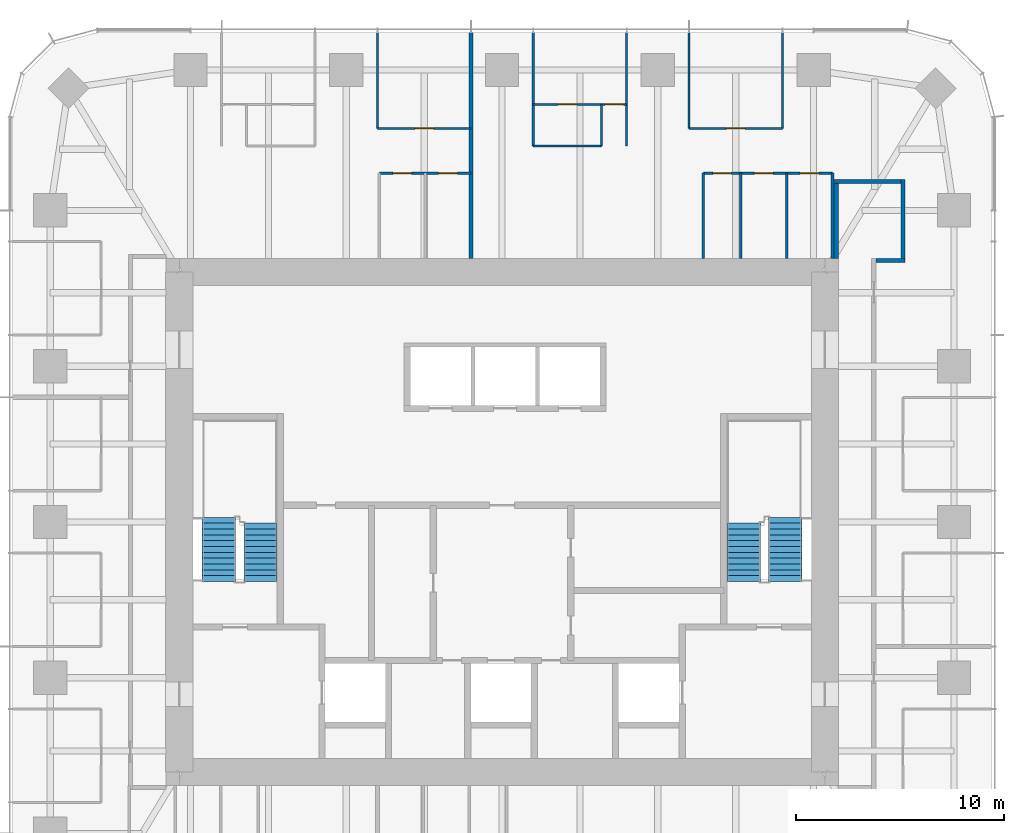
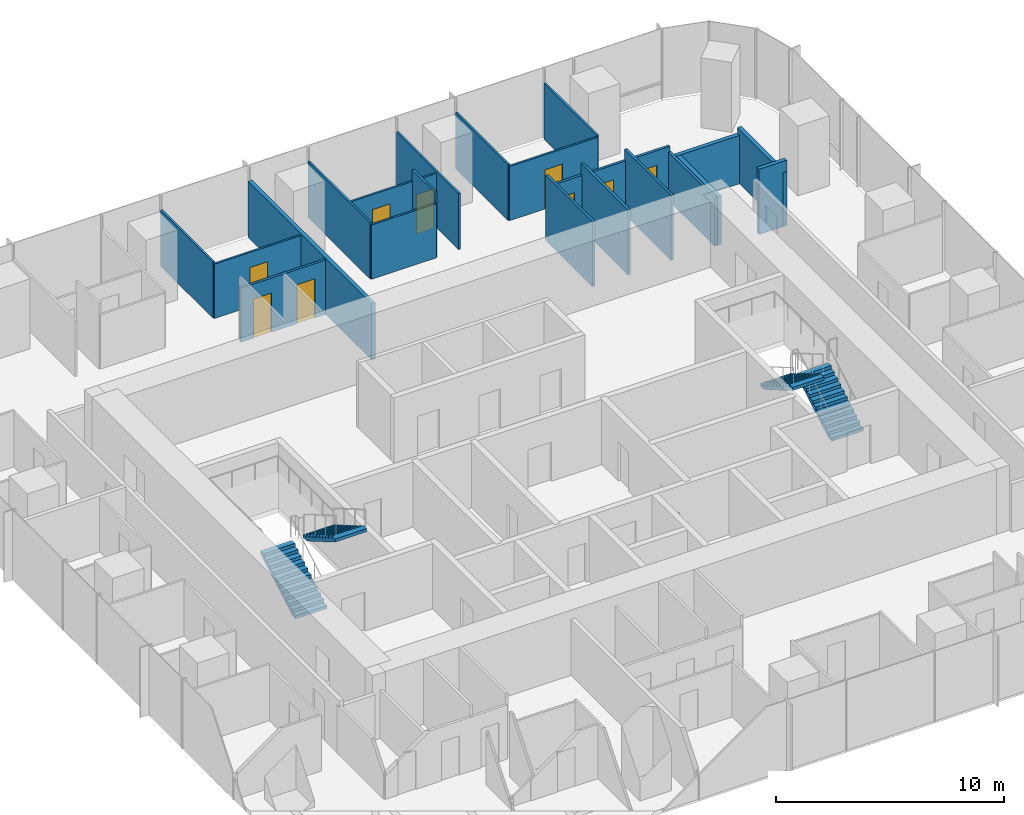
# One storey, part 11 of 12: 21 walls, 9 doors, 4 stair flights, 9 openings, 2 elements without a shape of their own.
"""IFC4 building model written with IfcOpenShell, lengths in metres."""

import ifcopenshell
import ifcopenshell.guid

model = None  # the IFC model being written
_history = None  # IfcOwnerHistory: only IFC2X3 demands one
_inside = {}  # id of a spatial element -> (the spatial element, [elements in it])
_under = {}  # id of a project, library or spatial element -> (it, [spatial elements below it])
_declared = {}  # id of a project -> (the project, [libraries it declares])
_typed = {}  # id of a type object -> (the type object, [elements of that type])
_made_of = {}  # id of a material, layer set ... -> (it, [elements and type objects made of it])


def new_model(schema):
    """Start an empty IFC model of exactly this schema.

    Asked for "IFC4X3", IfcOpenShell would pick the latest addendum, in which some entities
    have other attributes; the version numbers below select the first issue.
    IFC2X3 requires an IfcOwnerHistory on every rooted entity: one is made here for all.
    """
    global model, _history
    if schema == "IFC4X3":
        model = ifcopenshell.file(schema_version=(4, 3, 0, 0))
    else:
        model = ifcopenshell.file(schema=schema)
    _inside.clear()
    _under.clear()
    _declared.clear()
    _typed.clear()
    _made_of.clear()
    _history = None
    if model.schema == "IFC2X3":
        org = make("IfcOrganization", Name="unknown")
        user = make(
            "IfcPersonAndOrganization",
            ThePerson=make("IfcPerson", FamilyName="unknown"),
            TheOrganization=org,
        )
        app = make(
            "IfcApplication",
            ApplicationDeveloper=org,
            Version="unknown",
            ApplicationFullName="unknown",
            ApplicationIdentifier="unknown",
        )
        _history = make(
            "IfcOwnerHistory",
            OwningUser=user,
            OwningApplication=app,
            ChangeAction="ADDED",
            CreationDate=0,
        )
    return model


def make(cls, **values):
    """One entity of the class cls with the attributes given. An attribute that is None is left unset."""
    return model.create_entity(
        cls, **{name: value for name, value in values.items() if value is not None}
    )


def rooted(cls, **values):
    """An entity with a GlobalId (a new one), such as an element, a storey or a relation."""
    return make(cls, GlobalId=ifcopenshell.guid.new(), OwnerHistory=_history, **values)


def si_unit(unit_type, name, prefix=None):
    """IfcSIUnit, for example si_unit("LENGTHUNIT", "METRE", prefix="MILLI")."""
    return make("IfcSIUnit", UnitType=unit_type, Prefix=prefix, Name=name)


def assignment(units):
    """IfcUnitAssignment: the units of a project."""
    return None if units is None else make("IfcUnitAssignment", Units=units)


def point(xyz):
    """IfcCartesianPoint."""
    return None if xyz is None else make("IfcCartesianPoint", Coordinates=xyz)


def direction(xyz):
    """IfcDirection."""
    return None if xyz is None else make("IfcDirection", DirectionRatios=xyz)


def frame(location, z_axis=None, x_axis=None):
    """IfcAxis2Placement3D, a coordinate frame: its origin and axes. An axis left out is left unset."""
    return make(
        "IfcAxis2Placement3D",
        Location=point(location),
        Axis=direction(z_axis),
        RefDirection=direction(x_axis),
    )


def frame_2d(location, x_axis=None):
    """IfcAxis2Placement2D, a coordinate frame in the plane: its origin and x axis."""
    return make(
        "IfcAxis2Placement2D", Location=point(location), RefDirection=direction(x_axis)
    )


def origin():
    """The frame at (0, 0, 0) with its axes left unset."""
    return frame((0.0, 0.0, 0.0))


def place(relative_to, where):
    """IfcLocalPlacement: puts the frame where relative to a parent placement (None: the world)."""
    return make(
        "IfcLocalPlacement", PlacementRelTo=relative_to, RelativePlacement=where
    )


def context(
    kind, dimensions, precision=None, world=None, true_north=None, identifier=None
):
    """IfcGeometricRepresentationContext, for example the 3D "Model" context."""
    return make(
        "IfcGeometricRepresentationContext",
        ContextIdentifier=identifier,
        ContextType=kind,
        CoordinateSpaceDimension=dimensions,
        Precision=precision,
        WorldCoordinateSystem=world,
        TrueNorth=true_north,
    )


def subcontext(parent, identifier, kind, view, scale=None):
    """IfcGeometricRepresentationSubContext, for example "Body" below "Model"."""
    return make(
        "IfcGeometricRepresentationSubContext",
        ContextIdentifier=identifier,
        ContextType=kind,
        ParentContext=parent,
        TargetScale=scale,
        TargetView=view,
    )


def project(units=None, contexts=None):
    """IfcProject with its units and contexts."""
    return rooted(
        "IfcProject",
        Name="project",
        RepresentationContexts=contexts,
        UnitsInContext=assignment(units),
    )


def spatial(cls, under=None, at=None, **own):
    """A site, building, storey or space (cls), placed at a placement, below another one or the project."""
    s = rooted(cls, ObjectPlacement=at, **own)
    if under is not None:
        _under.setdefault(under.id(), (under, []))[1].append(s)
    return s


def polyline(points):
    """IfcPolyline through the points."""
    return make("IfcPolyline", Points=[point(p) for p in points])


def profile(cls, at=None, kind="AREA", **sizes):
    """A parametric profile (cls). Its sizes go by their IFC names, for example OverallWidth=200.0."""
    return make(cls, ProfileType=kind, Position=at, **sizes)


def rectangle(**sizes):
    """IfcRectangleProfileDef."""
    return profile("IfcRectangleProfileDef", **sizes)


def outline(outer, holes=None, kind="AREA"):
    """IfcArbitraryClosedProfileDef: a profile drawn as a closed curve; with holes, ...WithVoids."""
    if holes is None:
        return make("IfcArbitraryClosedProfileDef", ProfileType=kind, OuterCurve=outer)
    return make(
        "IfcArbitraryProfileDefWithVoids",
        ProfileType=kind,
        OuterCurve=outer,
        InnerCurves=holes,
    )


def extrude(swept, where, along, depth):
    """IfcExtrudedAreaSolid: the profile swept, set in the frame where, extruded along a direction by depth."""
    return make(
        "IfcExtrudedAreaSolid",
        SweptArea=swept,
        Position=where,
        ExtrudedDirection=direction(along),
        Depth=depth,
    )


def shape(context_of_items, identifier, shape_type, items):
    """IfcShapeRepresentation: the items that make up one representation, for example the "Body"."""
    return make(
        "IfcShapeRepresentation",
        ContextOfItems=context_of_items,
        RepresentationIdentifier=identifier,
        RepresentationType=shape_type,
        Items=items,
    )


def material(Name=None, Category=None):
    """IfcMaterial."""
    return make("IfcMaterial", Name=Name, Category=Category)


def layer(
    of_material, thickness, ventilated=None, Name=None, Category=None, Priority=None
):
    """IfcMaterialLayer: one layer of a wall or slab, of a material (None: an air gap)."""
    return make(
        "IfcMaterialLayer",
        Material=of_material,
        LayerThickness=thickness,
        IsVentilated=ventilated,
        Name=Name,
        Category=Category,
        Priority=Priority,
    )


def layer_set(layers, Name=None):
    """IfcMaterialLayerSet."""
    return make("IfcMaterialLayerSet", MaterialLayers=layers, LayerSetName=Name)


def made_of(thing, what):
    """Note that an element or type object is made of a material, layer set ...; save() writes the relation."""
    if what is not None:
        _made_of.setdefault(what.id(), (what, []))[1].append(thing)
    return thing


def type_object(cls, material=None, **own):
    """A type object (cls), such as IfcWallType, which elements share."""
    return made_of(rooted(cls, **own), material)


def element(
    cls,
    number,
    at=None,
    inside=None,
    cuts=None,
    type_object=None,
    material=None,
    context=None,
    identifier="Body",
    shape_type=None,
    held_by="IfcProductDefinitionShape",
    body=None,
    shapes=None,
    **own,
):
    """One element of the class cls, such as IfcWall. Its Tag is "e" and its number.

    at: its placement. inside: the storey or other place that contains it. cuts: it is an
    opening in that element (IfcRelVoidsElement). A single representation is given by context,
    identifier, shape_type and body (its items); several are given by shapes. held_by: the class
    of the entity that holds the representations. save() writes the other relations.
    """
    e = rooted(cls, Tag="e%d" % number, ObjectPlacement=at, **own)
    if body is not None:
        shapes = [shape(context, identifier, shape_type, body)]
    if shapes is not None:
        e.Representation = make(held_by, Representations=shapes)
    if inside is not None:
        _inside.setdefault(inside.id(), (inside, []))[1].append(e)
    if cuts is not None:
        rooted(
            "IfcRelVoidsElement", RelatingBuildingElement=cuts, RelatedOpeningElement=e
        )
    if type_object is not None:
        _typed.setdefault(type_object.id(), (type_object, []))[1].append(e)
    return made_of(e, material)


def fill(opening, filler):
    """IfcRelFillsElement: the door or window that sits in an opening."""
    return rooted(
        "IfcRelFillsElement",
        RelatingOpeningElement=opening,
        RelatedBuildingElement=filler,
    )


def aggregate(whole, parts):
    """IfcRelAggregates: a whole, such as a stair, and the parts it consists of."""
    return rooted("IfcRelAggregates", RelatingObject=whole, RelatedObjects=parts)


def save(model, path):
    """Write the relations noted so far, then the file.

    IfcRelAggregates (storeys below a building ...), IfcRelContainedInSpatialStructure (elements
    in a storey), IfcRelDefinesByType, IfcRelAssociatesMaterial and IfcRelDeclares: one each for
    every whole, place, type object, material and project.
    """
    for whole, parts in _under.values():
        aggregate(whole, parts)
    for where, things in _inside.values():
        rooted(
            "IfcRelContainedInSpatialStructure",
            RelatedElements=things,
            RelatingStructure=where,
        )
    for kind, things in _typed.values():
        rooted("IfcRelDefinesByType", RelatedObjects=things, RelatingType=kind)
    for what, things in _made_of.values():
        rooted("IfcRelAssociatesMaterial", RelatedObjects=things, RelatingMaterial=what)
    for by, libraries in _declared.values():
        rooted("IfcRelDeclares", RelatingContext=by, RelatedDefinitions=libraries)
    model.write(path)


model = new_model("IFC4")

# Units and contexts
model_context = context("Model", 3, precision=1e-05, world=origin(), true_north=direction((0.0, 1.0)))
body_context = subcontext(model_context, "Body", "Model", "MODEL_VIEW")
ifc_project = project(units=[si_unit("LENGTHUNIT", "METRE"), si_unit("AREAUNIT", "SQUARE_METRE"), si_unit("VOLUMEUNIT", "CUBIC_METRE"), si_unit("PLANEANGLEUNIT", "RADIAN"), si_unit("MASSUNIT", "GRAM", prefix="KILO")], contexts=[model_context])

# Site, building, storey
site_placement = place(None, origin())
site = spatial("IfcSite", under=ifc_project, at=site_placement, CompositionType="ELEMENT")
building_placement = place(site_placement, origin())
building = spatial("IfcBuilding", under=site, at=building_placement, Name="Khuree Lantern Residences", CompositionType="ELEMENT")
storey_placement = place(building_placement, frame((0.0, 0.0, 304.5)))
storey = spatial("IfcBuildingStorey", under=building, at=storey_placement, Name="L76", CompositionType="ELEMENT", Elevation=304.5)

# Wall, openings, doors
ifc_material_1 = material(Name="Moisture-resistant gypsum board on steel studs", Category="steel")
ifc_layer_1 = layer(ifc_material_1, 0.125)
ifc_layer_set_1 = layer_set([ifc_layer_1], Name="BATHROOM WALL BTW125")
wall_type_1 = type_object("IfcWallType", Name="BATHROOM WALL BTW125", PredefinedType="PARTITIONING", material=ifc_layer_set_1)
wall_1_placement = place(storey_placement, frame((15.866455078125, 16.746337890625, 0.0), z_axis=(0.0, 0.0, 1.0), x_axis=(-1.0, 0.0, 0.0)))
wall_1 = element("IfcWall", 1, at=wall_1_placement, inside=storey, type_object=wall_type_1, Name="L76 BATHROOM WALL 01", PredefinedType="PARTITIONING", context=body_context, shape_type="SweptSolid", body=[
    extrude(rectangle(XDim=6.199951171875, YDim=0.125, at=frame_2d((3.10009765625, 0.0))), origin(), (0.0, 0.0, 1.0), 2.89990234375),
])
opening_1_placement = place(wall_1_placement, frame((0.64990234375, 0.0, 0.0)))
opening_1 = element("IfcOpeningElement", 2, at=opening_1_placement, cuts=wall_1, Name="Opening 76-025", PredefinedType="OPENING", context=body_context, shape_type="SweptSolid", body=[
    extrude(rectangle(XDim=0.89990234375, YDim=2.10009765625, at=frame_2d((0.449951171875, 1.050048828125))), frame((0.0, 0.072509765625, 0.0), z_axis=(0.0, -1.0, 0.0), x_axis=(1.0, 0.0, 0.0)), (0.0, 0.0, 1.0), 0.14501953125),
])
opening_2_placement = place(wall_1_placement, frame((2.85009765625, 0.0, 0.0)))
opening_2 = element("IfcOpeningElement", 3, at=opening_2_placement, cuts=wall_1, Name="Opening 76-026", PredefinedType="OPENING", context=body_context, shape_type="SweptSolid", body=[
    extrude(rectangle(XDim=0.89990234375, YDim=2.10009765625, at=frame_2d((0.449951171875, 1.050048828125))), frame((0.0, 0.072509765625, 0.0), z_axis=(0.0, -1.0, 0.0), x_axis=(1.0, 0.0, 0.0)), (0.0, 0.0, 1.0), 0.14501953125),
])
opening_3_placement = place(wall_1_placement, frame((4.85009765625, 0.0, 0.0)))
opening_3 = element("IfcOpeningElement", 4, at=opening_3_placement, cuts=wall_1, Name="Opening 76-027", PredefinedType="OPENING", context=body_context, shape_type="SweptSolid", body=[
    extrude(rectangle(XDim=0.89990234375, YDim=2.10009765625, at=frame_2d((0.449951171875, 1.050048828125))), frame((0.0, 0.072509765625, 0.0), z_axis=(0.0, -1.0, 0.0), x_axis=(1.0, 0.0, 0.0)), (0.0, 0.0, 1.0), 0.14501953125),
])
ifc_material_2 = material(Name="Timber door leaf in hardwood frame", Category="wood")
door_type_1 = type_object("IfcDoorType", Name="BATHROOM DOOR 900X2100", OperationType="SINGLE_SWING_LEFT", PredefinedType="DOOR", material=ifc_material_2)
door_1_placement = place(opening_1_placement, origin())
door_1 = element("IfcDoor", 5, at=door_1_placement, inside=storey, type_object=door_type_1, Name="Bathroom door 76-025", OperationType="SINGLE_SWING_LEFT", OverallHeight=2.10009765625, OverallWidth=0.89990234375, PredefinedType="DOOR", context=body_context, shape_type="SweptSolid", body=[
    extrude(rectangle(XDim=0.89990234375, YDim=2.10009765625, at=frame_2d((0.449951171875, 1.050048828125))), frame((0.0, 0.02490234375, 0.0), z_axis=(0.0, -1.0, 0.0), x_axis=(1.0, 0.0, 0.0)), (0.0, 0.0, 1.0), 0.050048828125),
])
fill(opening_1, door_1)
door_2_placement = place(opening_2_placement, origin())
door_2 = element("IfcDoor", 6, at=door_2_placement, inside=storey, type_object=door_type_1, Name="Bathroom door 76-026", OperationType="SINGLE_SWING_LEFT", OverallHeight=2.10009765625, OverallWidth=0.89990234375, PredefinedType="DOOR", context=body_context, shape_type="SweptSolid", body=[
    extrude(rectangle(XDim=0.89990234375, YDim=2.10009765625, at=frame_2d((0.449951171875, 1.050048828125))), frame((0.0, 0.02490234375, 0.0), z_axis=(0.0, -1.0, 0.0), x_axis=(1.0, 0.0, 0.0)), (0.0, 0.0, 1.0), 0.050048828125),
])
fill(opening_2, door_2)
door_type_2 = type_object("IfcDoorType", Name="DOOR 900X2100", OperationType="SINGLE_SWING_LEFT", PredefinedType="DOOR", material=ifc_material_2)
door_3_placement = place(opening_3_placement, origin())
door_3 = element("IfcDoor", 7, at=door_3_placement, inside=storey, type_object=door_type_2, Name="Store door 76-027", OperationType="SINGLE_SWING_LEFT", OverallHeight=2.10009765625, OverallWidth=0.89990234375, PredefinedType="DOOR", context=body_context, shape_type="SweptSolid", body=[
    extrude(rectangle(XDim=0.89990234375, YDim=2.10009765625, at=frame_2d((0.449951171875, 1.050048828125))), frame((0.0, 0.02490234375, 0.0), z_axis=(0.0, -1.0, 0.0), x_axis=(1.0, 0.0, 0.0)), (0.0, 0.0, 1.0), 0.050048828125),
])
fill(opening_3, door_3)

# Walls
wall_2_placement = place(storey_placement, frame((15.866455078125, 12.64990234375, 0.0), z_axis=(0.0, 0.0, 1.0), x_axis=(0.0, 1.0, 0.0)))
element("IfcWall", 8, at=wall_2_placement, inside=storey, type_object=wall_type_1, Name="L76 BATHROOM WALL 01", PredefinedType="PARTITIONING", context=body_context, shape_type="SweptSolid", body=[
    extrude(rectangle(XDim=4.096435546875, YDim=0.125, at=frame_2d((2.04833984375, 0.0))), origin(), (0.0, 0.0, 1.0), 2.60009765625),
])
for number, where, z_axis, x_axis, name in (
    (9, (13.66650390625, 12.64990234375, 0.0), (0.0, 0.0, 1.0), (0.0, 1.0, 0.0), "L76 BATHROOM WALL 01"),
    (10, (11.466552734375, 12.64990234375, 0.0), (0.0, 0.0, 1.0), (0.0, 1.0, 0.0), "L76 BATHROOM WALL 01"),
    (11, (9.66650390625, 12.64990234375, 0.0), (0.0, 0.0, 1.0), (0.0, 1.0, 0.0), "L76 BATHROOM WALL 01"),
):
    element("IfcWall", number, at=place(storey_placement, frame(where, z_axis=z_axis, x_axis=x_axis)), inside=storey, type_object=wall_type_1, Name=name, PredefinedType="PARTITIONING", context=body_context, shape_type="SweptSolid", body=[
        extrude(rectangle(XDim=4.096435546875, YDim=0.125, at=frame_2d((2.04833984375, 0.0))), origin(), (0.0, 0.0, 1.0), 3.5),
    ])

# Wall, openings, doors
wall_3_placement = place(storey_placement, frame((-1.49609375, 16.746337890625, 0.0), z_axis=(0.0, 0.0, 1.0), x_axis=(-1.0, 0.0, 0.0)))
wall_3 = element("IfcWall", 12, at=wall_3_placement, inside=storey, type_object=wall_type_1, Name="L76 BATHROOM WALL 02", PredefinedType="PARTITIONING", context=body_context, shape_type="SweptSolid", body=[
    extrude(rectangle(XDim=4.39990234375, YDim=0.125, at=frame_2d((2.199951171875, 0.0))), origin(), (0.0, 0.0, 1.0), 2.909912109375),
])
opening_4_placement = place(wall_3_placement, frame((0.64990234375, 0.0, 0.0)))
opening_4 = element("IfcOpeningElement", 13, at=opening_4_placement, cuts=wall_3, Name="Opening 76-033", PredefinedType="OPENING", context=body_context, shape_type="SweptSolid", body=[
    extrude(rectangle(XDim=0.89990234375, YDim=2.10009765625, at=frame_2d((0.449951171875, 1.050048828125))), frame((0.0, 0.072509765625, 0.0), z_axis=(0.0, -1.0, 0.0), x_axis=(1.0, 0.0, 0.0)), (0.0, 0.0, 1.0), 0.14501953125),
])
opening_5_placement = place(wall_3_placement, frame((2.85009765625, 0.0, 0.0)))
opening_5 = element("IfcOpeningElement", 14, at=opening_5_placement, cuts=wall_3, Name="Opening 76-034", PredefinedType="OPENING", context=body_context, shape_type="SweptSolid", body=[
    extrude(rectangle(XDim=0.89990234375, YDim=2.10009765625, at=frame_2d((0.449951171875, 1.050048828125))), frame((0.0, 0.072509765625, 0.0), z_axis=(0.0, -1.0, 0.0), x_axis=(1.0, 0.0, 0.0)), (0.0, 0.0, 1.0), 0.14501953125),
])
door_4_placement = place(opening_4_placement, origin())
door_4 = element("IfcDoor", 15, at=door_4_placement, inside=storey, type_object=door_type_1, Name="Bathroom door 76-033", OperationType="SINGLE_SWING_LEFT", OverallHeight=2.10009765625, OverallWidth=0.89990234375, PredefinedType="DOOR", context=body_context, shape_type="SweptSolid", body=[
    extrude(rectangle(XDim=0.89990234375, YDim=2.10009765625, at=frame_2d((0.449951171875, 1.050048828125))), frame((0.0, 0.02490234375, 0.0), z_axis=(0.0, -1.0, 0.0), x_axis=(1.0, 0.0, 0.0)), (0.0, 0.0, 1.0), 0.050048828125),
])
fill(opening_4, door_4)
door_5_placement = place(opening_5_placement, origin())
door_5 = element("IfcDoor", 16, at=door_5_placement, inside=storey, type_object=door_type_1, Name="Bathroom door 76-034", OperationType="SINGLE_SWING_LEFT", OverallHeight=2.10009765625, OverallWidth=0.89990234375, PredefinedType="DOOR", context=body_context, shape_type="SweptSolid", body=[
    extrude(rectangle(XDim=0.89990234375, YDim=2.10009765625, at=frame_2d((0.449951171875, 1.050048828125))), frame((0.0, 0.02490234375, 0.0), z_axis=(0.0, -1.0, 0.0), x_axis=(1.0, 0.0, 0.0)), (0.0, 0.0, 1.0), 0.050048828125),
])
fill(opening_5, door_5)

# Walls
ifc_material_3 = material(Name="Gypsum board on steel studs", Category="steel")
ifc_layer_2 = layer(ifc_material_3, 0.199951171875)
ifc_layer_set_2 = layer_set([ifc_layer_2], Name="CORRIDOR WALL CRW200 EI 60")
wall_type_2 = type_object("IfcWallType", Name="CORRIDOR WALL CRW200 EI 60", PredefinedType="PARTITIONING", material=ifc_layer_set_2)
wall_4_placement = place(storey_placement, frame((17.949951171875, 12.550048828125, 0.0), z_axis=(0.0, 0.0, 1.0), x_axis=(1.0, 0.0, 0.0)))
element("IfcWall", 17, at=wall_4_placement, inside=storey, type_object=wall_type_2, Name="L76 RESIDENTS LOUNGE WALL", PredefinedType="PARTITIONING", context=body_context, shape_type="SweptSolid", body=[
    extrude(rectangle(XDim=1.400146484375, YDim=0.199951171875, at=frame_2d((0.7001953125, 0.0))), origin(), (0.0, 0.0, 1.0), 3.5),
])
wall_5_placement = place(storey_placement, frame((19.25, 12.449951171875, 0.0), z_axis=(0.0, 0.0, 1.0), x_axis=(0.0, 1.0, 0.0)))
element("IfcWall", 18, at=wall_5_placement, inside=storey, type_object=wall_type_2, Name="L76 RESIDENTS LOUNGE WALL", PredefinedType="PARTITIONING", context=body_context, shape_type="SweptSolid", body=[
    extrude(rectangle(XDim=4.0, YDim=0.199951171875, at=frame_2d((2.0, 0.0))), origin(), (0.0, 0.0, 1.0), 2.89990234375),
])
wall_6_placement = place(storey_placement, frame((19.14990234375, 16.35009765625, 0.0), z_axis=(0.0, 0.0, 1.0), x_axis=(-1.0, 0.0, 0.0)))
element("IfcWall", 19, at=wall_6_placement, inside=storey, type_object=wall_type_2, Name="L76 RESIDENTS LOUNGE WALL", PredefinedType="PARTITIONING", context=body_context, shape_type="SweptSolid", body=[
    extrude(rectangle(XDim=3.199951171875, YDim=0.199951171875, at=frame_2d((1.60009765625, 0.0))), origin(), (0.0, 0.0, 1.0), 2.60009765625),
])
wall_7_placement = place(storey_placement, frame((16.050048828125, 16.449951171875, 0.0), z_axis=(0.0, 0.0, 1.0), x_axis=(0.0, -1.0, 0.0)))
element("IfcWall", 20, at=wall_7_placement, inside=storey, type_object=wall_type_2, Name="L76 RESIDENTS LOUNGE WALL", PredefinedType="PARTITIONING", context=body_context, shape_type="SweptSolid", body=[
    extrude(rectangle(XDim=3.800048828125, YDim=0.199951171875, at=frame_2d((1.89990234375, 0.0))), origin(), (0.0, 0.0, 1.0), 2.60009765625),
])
ifc_layer_3 = layer(ifc_material_3, 0.199951171875)
ifc_layer_set_3 = layer_set([ifc_layer_3], Name="DEMISING WALL DMW200 EI 90")
wall_type_3 = type_object("IfcWallType", Name="DEMISING WALL DMW200 EI 90", PredefinedType="PARTITIONING", material=ifc_layer_set_3)
wall_8_placement = place(storey_placement, frame((-1.49609375, 12.64990234375, 0.0), z_axis=(0.0, 0.0, 1.0), x_axis=(0.0, 1.0, 0.0)))
element("IfcWall", 21, at=wall_8_placement, inside=storey, type_object=wall_type_3, Name="L76 DEMISING WALL 02", PredefinedType="PARTITIONING", context=body_context, shape_type="SweptSolid", body=[
    extrude(rectangle(XDim=10.85009765625, YDim=0.199951171875, at=frame_2d((5.425048828125, 0.0))), origin(), (0.0, 0.0, 1.0), 3.010009765625),
])
ifc_layer_4 = layer(ifc_material_3, 0.10009765625)
ifc_layer_set_4 = layer_set([ifc_layer_4], Name="PARTITION PT100")
wall_type_4 = type_object("IfcWallType", Name="PARTITION PT100", PredefinedType="PARTITIONING", material=ifc_layer_set_4)
for number, where, z_axis, x_axis, name in (
    (22, (13.464111328125, 18.89990234375, 0.0), (0.0, 0.0, 1.0), (0.0, 1.0, 0.0), "L76 PARTITION 01"),
    (23, (8.97607421875, 18.89990234375, 0.0), (0.0, 0.0, 1.0), (0.0, 1.0, 0.0), "L76 PARTITION 01"),
):
    element("IfcWall", number, at=place(storey_placement, frame(where, z_axis=z_axis, x_axis=x_axis)), inside=storey, type_object=wall_type_4, Name=name, PredefinedType="PARTITIONING", context=body_context, shape_type="SweptSolid", body=[
        extrude(rectangle(XDim=4.60009765625, YDim=0.10009765625, at=frame_2d((2.300048828125, 0.0))), origin(), (0.0, 0.0, 1.0), 3.010009765625),
    ])
for number, where, z_axis, x_axis, name in (
    (24, (5.98388671875, 18.04638671875, 0.0), (0.0, 0.0, 1.0), (0.0, 1.0, 0.0), "L76 PARTITION 01"),
    (25, (1.49609375, 18.04638671875, 0.0), (0.0, 0.0, 1.0), (0.0, 1.0, 0.0), "L76 PARTITION 01"),
):
    element("IfcWall", number, at=place(storey_placement, frame(where, z_axis=z_axis, x_axis=x_axis)), inside=storey, type_object=wall_type_4, Name=name, PredefinedType="PARTITIONING", context=body_context, shape_type="SweptSolid", body=[
        extrude(rectangle(XDim=5.45361328125, YDim=0.10009765625, at=frame_2d((2.726806640625, 0.0))), origin(), (0.0, 0.0, 1.0), 3.010009765625),
    ])
wall_9_placement = place(storey_placement, frame((-5.98388671875, 18.89990234375, 0.0), z_axis=(0.0, 0.0, 1.0), x_axis=(0.0, 1.0, 0.0)))
element("IfcWall", 26, at=wall_9_placement, inside=storey, type_object=wall_type_4, Name="L76 PARTITION 02", PredefinedType="PARTITIONING", context=body_context, shape_type="SweptSolid", body=[
    extrude(rectangle(XDim=4.60009765625, YDim=0.10009765625, at=frame_2d((2.300048828125, 0.0))), origin(), (0.0, 0.0, 1.0), 3.010009765625),
])

# Wall, opening, door
wall_10_placement = place(storey_placement, frame((13.464111328125, 18.89990234375, 0.0), z_axis=(0.0, 0.0, 1.0), x_axis=(-1.0, 0.0, 0.0)))
wall_10 = element("IfcWall", 27, at=wall_10_placement, inside=storey, type_object=wall_type_4, Name="L76 PARTITION 01", PredefinedType="PARTITIONING", context=body_context, shape_type="SweptSolid", body=[
    extrude(rectangle(XDim=4.488037109375, YDim=0.10009765625, at=frame_2d((2.244140625, 0.0))), origin(), (0.0, 0.0, 1.0), 2.909912109375),
])
opening_6_placement = place(wall_10_placement, frame((1.7939453125, 0.0, 0.0)))
opening_6 = element("IfcOpeningElement", 28, at=opening_6_placement, cuts=wall_10, Name="Opening 76-022", PredefinedType="OPENING", context=body_context, shape_type="SweptSolid", body=[
    extrude(rectangle(XDim=0.89990234375, YDim=2.10009765625, at=frame_2d((0.449951171875, 1.050048828125))), frame((0.0, 0.06005859375, 0.0), z_axis=(0.0, -1.0, 0.0), x_axis=(1.0, 0.0, 0.0)), (0.0, 0.0, 1.0), 0.1201171875),
])
door_type_3 = type_object("IfcDoorType", Name="BEDROOM DOOR 900X2100", OperationType="SINGLE_SWING_LEFT", PredefinedType="DOOR", material=ifc_material_2)
door_6_placement = place(opening_6_placement, origin())
door_6 = element("IfcDoor", 29, at=door_6_placement, inside=storey, type_object=door_type_3, Name="Bedroom door 76-022", OperationType="SINGLE_SWING_LEFT", OverallHeight=2.10009765625, OverallWidth=0.89990234375, PredefinedType="DOOR", context=body_context, shape_type="SweptSolid", body=[
    extrude(rectangle(XDim=0.89990234375, YDim=2.10009765625, at=frame_2d((0.449951171875, 1.050048828125))), frame((0.0, 0.02490234375, 0.0), z_axis=(0.0, -1.0, 0.0), x_axis=(1.0, 0.0, 0.0)), (0.0, 0.0, 1.0), 0.050048828125),
])
fill(opening_6, door_6)

# Wall, openings, doors
wall_11_placement = place(storey_placement, frame((5.98388671875, 20.04638671875, 0.0), z_axis=(0.0, 0.0, 1.0), x_axis=(-1.0, 0.0, 0.0)))
wall_11 = element("IfcWall", 30, at=wall_11_placement, inside=storey, type_object=wall_type_4, Name="L76 PARTITION 01", PredefinedType="PARTITIONING", context=body_context, shape_type="SweptSolid", body=[
    extrude(rectangle(XDim=4.48779296875, YDim=0.10009765625, at=frame_2d((2.243896484375, 0.0))), origin(), (0.0, 0.0, 1.0), 2.909912109375),
])
opening_7_placement = place(wall_11_placement, frame((0.14990234375, 0.0, 0.0)))
opening_7 = element("IfcOpeningElement", 31, at=opening_7_placement, cuts=wall_11, Name="Opening 76-023", PredefinedType="OPENING", context=body_context, shape_type="SweptSolid", body=[
    extrude(rectangle(XDim=0.89990234375, YDim=2.10009765625, at=frame_2d((0.449951171875, 1.050048828125))), frame((0.0, 0.06005859375, 0.0), z_axis=(0.0, -1.0, 0.0), x_axis=(1.0, 0.0, 0.0)), (0.0, 0.0, 1.0), 0.1201171875),
])
opening_8_placement = place(wall_11_placement, frame((2.39404296875, 0.0, 0.0)))
opening_8 = element("IfcOpeningElement", 32, at=opening_8_placement, cuts=wall_11, Name="Opening 76-024", PredefinedType="OPENING", context=body_context, shape_type="SweptSolid", body=[
    extrude(rectangle(XDim=0.89990234375, YDim=2.10009765625, at=frame_2d((0.449951171875, 1.050048828125))), frame((0.0, 0.06005859375, 0.0), z_axis=(0.0, -1.0, 0.0), x_axis=(1.0, 0.0, 0.0)), (0.0, 0.0, 1.0), 0.1201171875),
])
door_7_placement = place(opening_7_placement, origin())
door_7 = element("IfcDoor", 33, at=door_7_placement, inside=storey, type_object=door_type_3, Name="Bedroom door 76-023", OperationType="SINGLE_SWING_LEFT", OverallHeight=2.10009765625, OverallWidth=0.89990234375, PredefinedType="DOOR", context=body_context, shape_type="SweptSolid", body=[
    extrude(rectangle(XDim=0.89990234375, YDim=2.10009765625, at=frame_2d((0.449951171875, 1.050048828125))), frame((0.0, 0.02490234375, 0.0), z_axis=(0.0, -1.0, 0.0), x_axis=(1.0, 0.0, 0.0)), (0.0, 0.0, 1.0), 0.050048828125),
])
fill(opening_7, door_7)
door_8_placement = place(opening_8_placement, origin())
door_8 = element("IfcDoor", 34, at=door_8_placement, inside=storey, type_object=door_type_2, Name="Wardrobe door 76-024", OperationType="SINGLE_SWING_LEFT", OverallHeight=2.10009765625, OverallWidth=0.89990234375, PredefinedType="DOOR", context=body_context, shape_type="SweptSolid", body=[
    extrude(rectangle(XDim=0.89990234375, YDim=2.10009765625, at=frame_2d((0.449951171875, 1.050048828125))), frame((0.0, 0.02490234375, 0.0), z_axis=(0.0, -1.0, 0.0), x_axis=(1.0, 0.0, 0.0)), (0.0, 0.0, 1.0), 0.050048828125),
])
fill(opening_8, door_8)

# Walls
wall_12_placement = place(storey_placement, frame((4.783935546875, 18.04638671875, 0.0), z_axis=(0.0, 0.0, 1.0), x_axis=(0.0, 1.0, 0.0)))
element("IfcWall", 35, at=wall_12_placement, inside=storey, type_object=wall_type_4, Name="L76 PARTITION 01", PredefinedType="PARTITIONING", context=body_context, shape_type="SweptSolid", body=[
    extrude(rectangle(XDim=2.0, YDim=0.10009765625, at=frame_2d((1.0, 0.0))), origin(), (0.0, 0.0, 1.0), 3.5),
])
wall_13_placement = place(storey_placement, frame((4.783935546875, 18.04638671875, 0.0), z_axis=(0.0, 0.0, 1.0), x_axis=(-1.0, 0.0, 0.0)))
element("IfcWall", 36, at=wall_13_placement, inside=storey, type_object=wall_type_4, Name="L76 PARTITION 01", PredefinedType="PARTITIONING", context=body_context, shape_type="SweptSolid", body=[
    extrude(rectangle(XDim=3.287841796875, YDim=0.10009765625, at=frame_2d((1.64404296875, 0.0))), origin(), (0.0, 0.0, 1.0), 2.909912109375),
])

# Wall, opening, door
wall_14_placement = place(storey_placement, frame((-1.49609375, 18.89990234375, 0.0), z_axis=(0.0, 0.0, 1.0), x_axis=(-1.0, 0.0, 0.0)))
wall_14 = element("IfcWall", 37, at=wall_14_placement, inside=storey, type_object=wall_type_4, Name="L76 PARTITION 02", PredefinedType="PARTITIONING", context=body_context, shape_type="SweptSolid", body=[
    extrude(rectangle(XDim=4.48779296875, YDim=0.10009765625, at=frame_2d((2.243896484375, 0.0))), origin(), (0.0, 0.0, 1.0), 2.909912109375),
])
opening_9_placement = place(wall_14_placement, frame((1.7939453125, 0.0, 0.0)))
opening_9 = element("IfcOpeningElement", 38, at=opening_9_placement, cuts=wall_14, Name="Opening 76-029", PredefinedType="OPENING", context=body_context, shape_type="SweptSolid", body=[
    extrude(rectangle(XDim=0.89990234375, YDim=2.10009765625, at=frame_2d((0.449951171875, 1.050048828125))), frame((0.0, 0.06005859375, 0.0), z_axis=(0.0, -1.0, 0.0), x_axis=(1.0, 0.0, 0.0)), (0.0, 0.0, 1.0), 0.1201171875),
])
door_9_placement = place(opening_9_placement, origin())
door_9 = element("IfcDoor", 39, at=door_9_placement, inside=storey, type_object=door_type_3, Name="Bedroom door 76-029", OperationType="SINGLE_SWING_LEFT", OverallHeight=2.10009765625, OverallWidth=0.89990234375, PredefinedType="DOOR", context=body_context, shape_type="SweptSolid", body=[
    extrude(rectangle(XDim=0.89990234375, YDim=2.10009765625, at=frame_2d((0.449951171875, 1.050048828125))), frame((0.0, 0.02490234375, 0.0), z_axis=(0.0, -1.0, 0.0), x_axis=(1.0, 0.0, 0.0)), (0.0, 0.0, 1.0), 0.050048828125),
])
fill(opening_9, door_9)

# Stair, stair flights
ifc_material_4 = material(Name="Concrete C40/50", Category="concrete")
stair_type = type_object("IfcStairType", Name="STAIR ST1 HALF TURN 3600", PredefinedType="HALF_TURN_STAIR", material=ifc_material_4)
stair_1_placement = place(storey_placement, origin())
stair_1 = element("IfcStair", 40, at=stair_1_placement, inside=storey, type_object=stair_type, Name="Stair ST1", PredefinedType="HALF_TURN_STAIR")
stair_flight_type = type_object("IfcStairFlightType", Name="STAIR FLIGHT SF1 1600", PredefinedType="STRAIGHT", material=ifc_material_4)
stair_flight_1_placement = place(storey_placement, frame((-13.60009765625, -2.860107421875, 0.0), z_axis=(0.0, 0.0, 1.0), x_axis=(0.0, 1.0, 0.0)))
stair_flight_1 = element("IfcStairFlight", 41, at=stair_flight_1_placement, type_object=stair_flight_type, Name="ST1 flight 1", NumberOfRisers=12, NumberOfTreads=11, PredefinedType="STRAIGHT", RiserHeight=0.163043478, TreadLength=0.28, context=body_context, shape_type="SweptSolid", body=[
    extrude(outline(polyline([(0.0, 0.0), (0.0, 0.1630859375), (0.280029296875, 0.1630859375), (0.280029296875, 0.326171875), (0.56005859375, 0.326171875), (0.56005859375, 0.489013671875), (0.840087890625, 0.489013671875), (0.840087890625, 0.652099609375), (1.1201171875, 0.652099609375), (1.1201171875, 0.815185546875), (1.39990234375, 0.815185546875), (1.39990234375, 0.978271484375), (1.679931640625, 0.978271484375), (1.679931640625, 1.141357421875), (1.9599609375, 1.141357421875), (1.9599609375, 1.304443359375), (2.239990234375, 1.304443359375), (2.239990234375, 1.46728515625), (2.52001953125, 1.46728515625), (2.52001953125, 1.63037109375), (2.800048828125, 1.63037109375), (2.800048828125, 1.79345703125), (3.080078125, 1.79345703125), (3.080078125, 1.95654296875), (3.080078125, 1.6201171875), (0.2978515625, 0.0), (0.0, 0.0)])), frame((0.0, 0.800048828125, 0.0), z_axis=(0.0, -1.0, 0.0), x_axis=(1.0, 0.0, 0.0)), (0.0, 0.0, 1.0), 1.60009765625),
])
stair_flight_2_placement = place(storey_placement, frame((-11.60009765625, -0.06005859375, 1.95654296875), z_axis=(0.0, 0.0, 1.0), x_axis=(0.0, -1.0, 0.0)))
stair_flight_2 = element("IfcStairFlight", 42, at=stair_flight_2_placement, type_object=stair_flight_type, Name="ST1 flight 2", NumberOfRisers=11, NumberOfTreads=10, PredefinedType="STRAIGHT", RiserHeight=0.163043478, TreadLength=0.28, context=body_context, shape_type="SweptSolid", body=[
    extrude(outline(polyline([(0.0, 0.0), (0.0, 0.1630859375), (0.280029296875, 0.1630859375), (0.280029296875, 0.326171875), (0.56005859375, 0.326171875), (0.56005859375, 0.489013671875), (0.840087890625, 0.489013671875), (0.840087890625, 0.652099609375), (1.1201171875, 0.652099609375), (1.1201171875, 0.815185546875), (1.39990234375, 0.815185546875), (1.39990234375, 0.978271484375), (1.679931640625, 0.978271484375), (1.679931640625, 1.141357421875), (1.9599609375, 1.141357421875), (1.9599609375, 1.304443359375), (2.239990234375, 1.304443359375), (2.239990234375, 1.46728515625), (2.52001953125, 1.46728515625), (2.52001953125, 1.63037109375), (2.800048828125, 1.63037109375), (2.800048828125, 1.79345703125), (2.800048828125, 1.45703125), (0.2978515625, 0.0), (0.0, 0.0)])), frame((0.0, 0.800048828125, 0.0), z_axis=(0.0, -1.0, 0.0), x_axis=(1.0, 0.0, 0.0)), (0.0, 0.0, 1.0), 1.60009765625),
])
aggregate(stair_1, [stair_flight_1, stair_flight_2])

stair_2_placement = place(storey_placement, origin())
stair_2 = element("IfcStair", 43, at=stair_2_placement, inside=storey, type_object=stair_type, Name="Stair ST2", PredefinedType="HALF_TURN_STAIR")
stair_flight_3_placement = place(storey_placement, frame((13.60009765625, -2.860107421875, 0.0), z_axis=(0.0, 0.0, 1.0), x_axis=(0.0, 1.0, 0.0)))
stair_flight_3 = element("IfcStairFlight", 44, at=stair_flight_3_placement, type_object=stair_flight_type, Name="ST2 flight 1", NumberOfRisers=12, NumberOfTreads=11, PredefinedType="STRAIGHT", RiserHeight=0.163043478, TreadLength=0.28, context=body_context, shape_type="SweptSolid", body=[
    extrude(outline(polyline([(0.0, 0.0), (0.0, 0.1630859375), (0.280029296875, 0.1630859375), (0.280029296875, 0.326171875), (0.56005859375, 0.326171875), (0.56005859375, 0.489013671875), (0.840087890625, 0.489013671875), (0.840087890625, 0.652099609375), (1.1201171875, 0.652099609375), (1.1201171875, 0.815185546875), (1.39990234375, 0.815185546875), (1.39990234375, 0.978271484375), (1.679931640625, 0.978271484375), (1.679931640625, 1.141357421875), (1.9599609375, 1.141357421875), (1.9599609375, 1.304443359375), (2.239990234375, 1.304443359375), (2.239990234375, 1.46728515625), (2.52001953125, 1.46728515625), (2.52001953125, 1.63037109375), (2.800048828125, 1.63037109375), (2.800048828125, 1.79345703125), (3.080078125, 1.79345703125), (3.080078125, 1.95654296875), (3.080078125, 1.6201171875), (0.2978515625, 0.0), (0.0, 0.0)])), frame((0.0, 0.800048828125, 0.0), z_axis=(0.0, -1.0, 0.0), x_axis=(1.0, 0.0, 0.0)), (0.0, 0.0, 1.0), 1.60009765625),
])
stair_flight_4_placement = place(storey_placement, frame((11.60009765625, -0.06005859375, 1.95654296875), z_axis=(0.0, 0.0, 1.0), x_axis=(0.0, -1.0, 0.0)))
stair_flight_4 = element("IfcStairFlight", 45, at=stair_flight_4_placement, type_object=stair_flight_type, Name="ST2 flight 2", NumberOfRisers=11, NumberOfTreads=10, PredefinedType="STRAIGHT", RiserHeight=0.163043478, TreadLength=0.28, context=body_context, shape_type="SweptSolid", body=[
    extrude(outline(polyline([(0.0, 0.0), (0.0, 0.1630859375), (0.280029296875, 0.1630859375), (0.280029296875, 0.326171875), (0.56005859375, 0.326171875), (0.56005859375, 0.489013671875), (0.840087890625, 0.489013671875), (0.840087890625, 0.652099609375), (1.1201171875, 0.652099609375), (1.1201171875, 0.815185546875), (1.39990234375, 0.815185546875), (1.39990234375, 0.978271484375), (1.679931640625, 0.978271484375), (1.679931640625, 1.141357421875), (1.9599609375, 1.141357421875), (1.9599609375, 1.304443359375), (2.239990234375, 1.304443359375), (2.239990234375, 1.46728515625), (2.52001953125, 1.46728515625), (2.52001953125, 1.63037109375), (2.800048828125, 1.63037109375), (2.800048828125, 1.79345703125), (2.800048828125, 1.45703125), (0.2978515625, 0.0), (0.0, 0.0)])), frame((0.0, 0.800048828125, 0.0), z_axis=(0.0, -1.0, 0.0), x_axis=(1.0, 0.0, 0.0)), (0.0, 0.0, 1.0), 1.60009765625),
])
aggregate(stair_2, [stair_flight_3, stair_flight_4])

save(model, "model.ifc")
